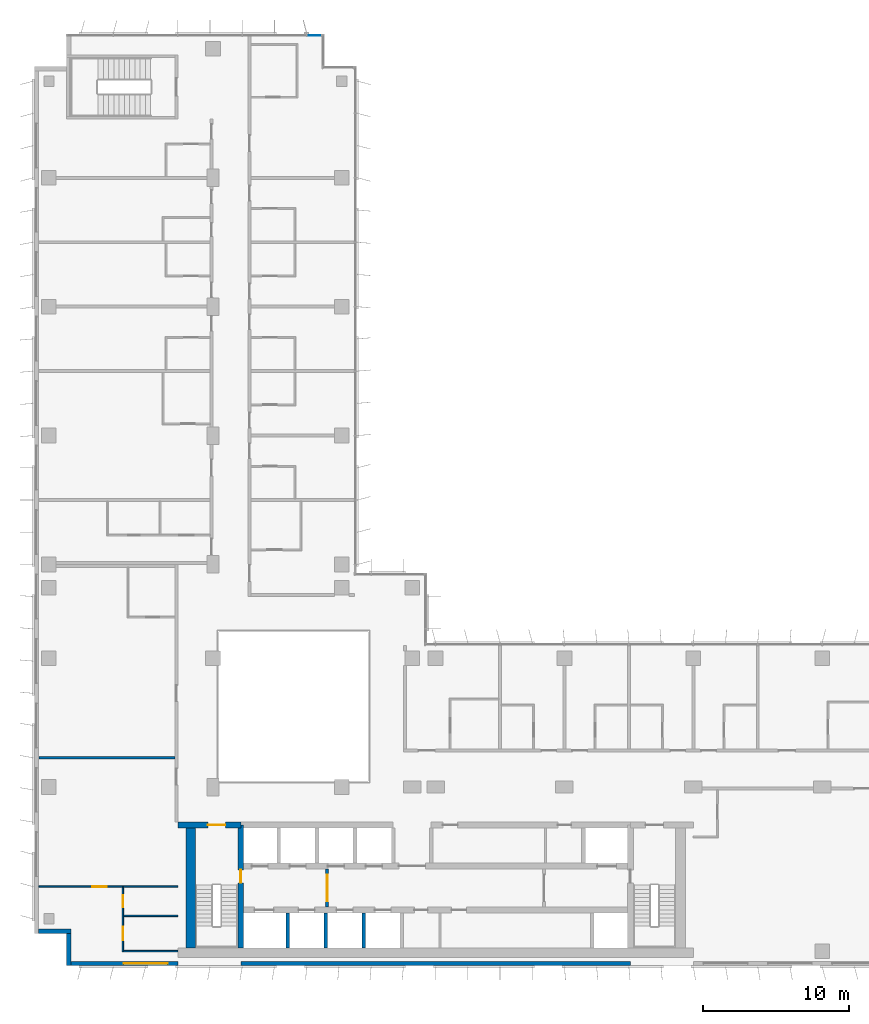
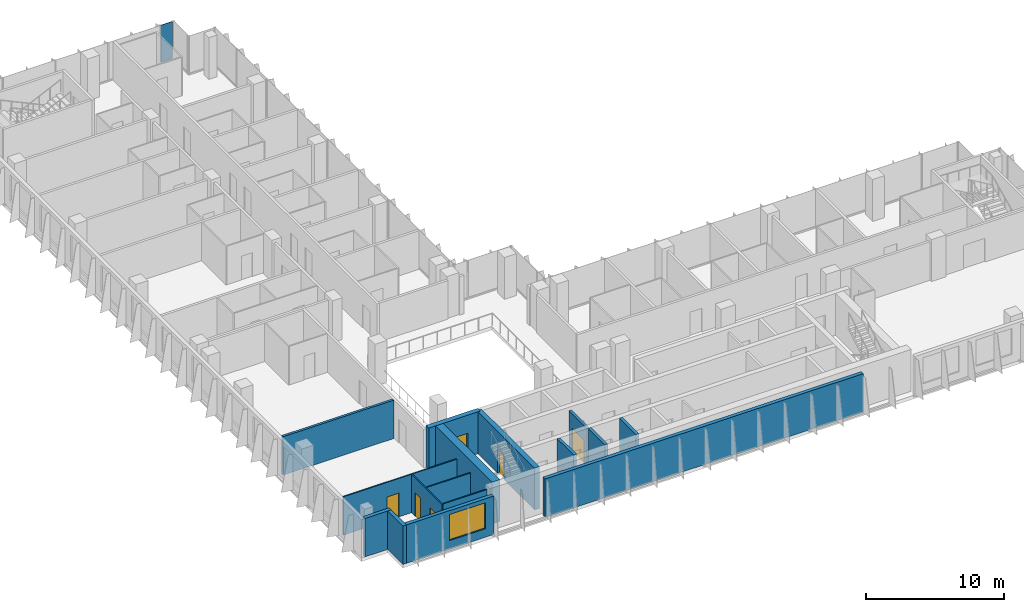
# One storey, part 12 of 21: 16 walls, 6 doors, 1 plate, 1 window, 7 openings, 1 element without a shape of its own.
"""IFC4 building model written with IfcOpenShell, lengths in metres."""

from ifc_helpers import new_model, si_unit, direction, frame, frame_2d, origin, origin_2d, place, context, subcontext, project, spatial, rectangle, extrude, source, transform, mapped, material, layer, layer_set, type_object, element, fill, aggregate, save


model = new_model("IFC4")

# Units and contexts
model_context = context("Model", 3, precision=1e-05, world=origin(), true_north=direction((0.0, 1.0)))
body_context = subcontext(model_context, "Body", "Model", "MODEL_VIEW")
ifc_project = project(units=[si_unit("LENGTHUNIT", "METRE"), si_unit("AREAUNIT", "SQUARE_METRE"), si_unit("VOLUMEUNIT", "CUBIC_METRE"), si_unit("PLANEANGLEUNIT", "RADIAN"), si_unit("MASSUNIT", "GRAM", prefix="KILO")], contexts=[model_context])

# Site, building, storey
site_placement = place(None, origin())
site = spatial("IfcSite", under=ifc_project, at=site_placement, CompositionType="ELEMENT")
building_placement = place(site_placement, origin())
building = spatial("IfcBuilding", under=site, at=building_placement, Name="Kemantara Hotel Tower", CompositionType="ELEMENT")
storey_placement = place(building_placement, frame((0.0, 0.0, 182.699951171875)))
storey = spatial("IfcBuildingStorey", under=building, at=storey_placement, Name="L45", CompositionType="ELEMENT", Elevation=182.699951171875)

# Curtain wall, plate
ifc_material_1 = material(Name="Low-E tinted double insulated glass 36 mm", Category="glass")
curtain_wall_type = type_object("IfcCurtainWallType", Name="TOWER CURTAIN WALL, FRONT FACES", PredefinedType="USERDEFINED", material=ifc_material_1)
curtain_wall_placement = place(storey_placement, origin())
curtain_wall = element("IfcCurtainWall", 1, at=curtain_wall_placement, inside=storey, type_object=curtain_wall_type, Name="CW4 L45 T3-R02-1", ObjectType="TOWER CURTAIN WALL, FRONT FACES", PredefinedType="USERDEFINED")
ifc_layer_1 = layer(ifc_material_1, 0.035888671875)
ifc_layer_set_1 = layer_set([ifc_layer_1], Name="Low-E tinted double insulated glass 36 mm")
plate_type = type_object("IfcPlateType", Name="TOWER CURTAIN WALL, FRONT FACES PANEL", PredefinedType="CURTAIN_PANEL", material=ifc_layer_set_1)
shared_shape = source(origin(), body_context, "Body", "SweptSolid", [
    extrude(rectangle(XDim=0.9599609375, YDim=0.035888671875, at=origin_2d()), origin(), (0.0, 0.0, 1.0), 3.280029296875),
])
plate_placement = place(storey_placement, frame((19.110107421875, 63.52490234375, 0.1201171875), z_axis=(0.0, 0.0, 1.0), x_axis=(-1.0, 0.0, 0.0)))
plate = element("IfcPlate", 2, at=plate_placement, type_object=plate_type, Name="CW4 glass panel T3-R02-1.1", PredefinedType="CURTAIN_PANEL", context=body_context, shape_type="MappedRepresentation", body=[
    mapped(shared_shape, transform((0.0, 0.0, 0.0))),
])
aggregate(curtain_wall, [plate])

# Walls
ifc_material_2 = material(Name="Bronze anodised aluminium cladding on insulated steel stud wall", Category="steel")
ifc_layer_2 = layer(ifc_material_2, 0.300048828125)
ifc_layer_set_2 = layer_set([ifc_layer_2], Name="Bronze anodised aluminium cladding on insulated steel stud wall")
wall_type_1 = type_object("IfcWallType", Name="BRONZE METAL-CLAD EXTERNAL WALL 300", PredefinedType="STANDARD", material=ifc_layer_set_2)
for number, where, z_axis, x_axis, name in (
    (3, (0.300048828125, 2.35009765625, 0.0), (0.0, 0.0, 1.0), (1.0, 0.0, 0.0), "EXTERNAL WALL L45 T3-R06"),
    (4, (2.35009765625, 2.199951171875, 0.0), (0.0, 0.0, 1.0), (0.0, -1.0, 0.0), "EXTERNAL WALL L45 T3-R07"),
):
    element("IfcWall", number, at=place(storey_placement, frame(where, z_axis=z_axis, x_axis=x_axis)), inside=storey, type_object=wall_type_1, Name=name, PredefinedType="STANDARD", context=body_context, shape_type="SweptSolid", body=[
        extrude(rectangle(XDim=2.199951171875, YDim=0.300048828125, at=frame_2d((1.10009765625, 0.0))), origin(), (0.0, 0.0, 1.0), 3.400146484375),
    ])

# Wall, opening, window
wall_1_placement = place(storey_placement, frame((2.5, 0.14990234375, 0.0), z_axis=(0.0, 0.0, 1.0), x_axis=(1.0, 0.0, 0.0)))
wall_1 = element("IfcWall", 5, at=wall_1_placement, inside=storey, type_object=wall_type_1, Name="EXTERNAL WALL L45 T3-R08", PredefinedType="STANDARD", context=body_context, shape_type="SweptSolid", body=[
    extrude(rectangle(XDim=7.300048828125, YDim=0.300048828125, at=frame_2d((3.64990234375, 0.0))), origin(), (0.0, 0.0, 1.0), 3.400146484375),
])
opening_1_placement = place(wall_1_placement, frame((3.60009765625, 0.0, 0.75)))
opening_1 = element("IfcOpeningElement", 6, at=opening_1_placement, cuts=wall_1, Name="Opening W1", PredefinedType="OPENING", context=body_context, shape_type="SweptSolid", body=[
    extrude(rectangle(XDim=3.0, YDim=2.300048828125, at=frame_2d((1.5, 1.14990234375))), frame((0.0, 0.159912109375, 0.0), z_axis=(0.0, -1.0, 0.0), x_axis=(1.0, 0.0, 0.0)), (0.0, 0.0, 1.0), 0.320068359375),
])
ifc_material_3 = material(Name="Low-E tinted double insulated glass in bronze anodised aluminium frame", Category="aluminium")
window_type = type_object("IfcWindowType", Name="CHICAGO WINDOW, TRIPLE PANEL 3000x2300", PartitioningType="TRIPLE_PANEL_VERTICAL", PredefinedType="WINDOW", material=ifc_material_3)
window_placement = place(opening_1_placement, origin())
window = element("IfcWindow", 7, at=window_placement, inside=storey, type_object=window_type, Name="CHICAGO WINDOW L45 T3-R08-54", OverallHeight=2.300048828125, OverallWidth=3.0, PartitioningType="SINGLE_PANEL", PredefinedType="WINDOW", context=body_context, shape_type="SweptSolid", body=[
    extrude(rectangle(XDim=3.0, YDim=2.300048828125, at=frame_2d((1.5, 1.14990234375))), frame((0.0, 0.030029296875, 0.0), z_axis=(0.0, -1.0, 0.0), x_axis=(1.0, 0.0, 0.0)), (0.0, 0.0, 1.0), 0.06005859375),
])
fill(opening_1, window)

# Walls
wall_2_placement = place(storey_placement, frame((14.10009765625, 0.14990234375, 0.0), z_axis=(0.0, 0.0, 1.0), x_axis=(1.0, 0.0, 0.0)))
element("IfcWall", 8, at=wall_2_placement, inside=storey, type_object=wall_type_1, Name="EXTERNAL WALL L45 T3-R08-2", PredefinedType="STANDARD", context=body_context, shape_type="SweptSolid", body=[
    extrude(rectangle(XDim=26.599853515625, YDim=0.300048828125, at=frame_2d((13.2998046875, 0.0))), origin(), (0.0, 0.0, 1.0), 3.400146484375),
])
ifc_material_4 = material(Name="Concrete fc 60 MPa", Category="concrete")
ifc_layer_3 = layer(ifc_material_4, 0.25)
ifc_layer_set_3 = layer_set([ifc_layer_3], Name="Concrete fc 60 MPa")
wall_type_2 = type_object("IfcWallType", Name="CORE WALL 250 FC60", PredefinedType="SHEAR", material=ifc_layer_set_3)
for number, where, z_axis, x_axis, name in (
    (9, (17.300048828125, 1.199951171875, 0.0), (0.0, 0.0, 1.0), (0.0, 1.0, 0.0), "CORE WALL CW-DS17.3"),
    (10, (19.89990234375, 1.199951171875, 0.0), (0.0, 0.0, 1.0), (0.0, 1.0, 0.0), "CORE WALL CW-DS19.9"),
    (11, (22.5, 1.199951171875, 0.0), (0.0, 0.0, 1.0), (0.0, 1.0, 0.0), "CORE WALL CW-DS22.5"),
):
    element("IfcWall", number, at=place(storey_placement, frame(where, z_axis=z_axis, x_axis=x_axis)), inside=storey, type_object=wall_type_2, Name=name, PredefinedType="SHEAR", context=body_context, shape_type="SweptSolid", body=[
        extrude(rectangle(XDim=2.400146484375, YDim=0.25, at=frame_2d((1.2001953125, 0.0))), origin(), (0.0, 0.0, 1.0), 3.699951171875),
    ])

# Wall, opening, door
ifc_layer_4 = layer(ifc_material_4, 0.39990234375)
ifc_layer_set_4 = layer_set([ifc_layer_4], Name="Concrete fc 60 MPa")
wall_type_3 = type_object("IfcWallType", Name="CORE WALL 400 FC60", PredefinedType="SHEAR", material=ifc_layer_set_4)
wall_3_placement = place(storey_placement, frame((9.800048828125, 9.60009765625, 0.0), z_axis=(0.0, 0.0, 1.0), x_axis=(1.0, 0.0, 0.0)))
wall_3 = element("IfcWall", 12, at=wall_3_placement, inside=storey, type_object=wall_type_3, Name="CORE WALL CW-N1", PredefinedType="SHEAR", context=body_context, shape_type="SweptSolid", body=[
    extrude(rectangle(XDim=4.300048828125, YDim=0.39990234375, at=frame_2d((2.14990234375, 0.0))), origin(), (0.0, 0.0, 1.0), 3.699951171875),
])
opening_2_placement = place(wall_3_placement, frame((2.050048828125, 0.0, 0.0)))
opening_2 = element("IfcOpeningElement", 13, at=opening_2_placement, cuts=wall_3, Name="Opening C27-ST1-C", PredefinedType="OPENING", context=body_context, shape_type="SweptSolid", body=[
    extrude(rectangle(XDim=1.199951171875, YDim=2.10009765625, at=frame_2d((0.60009765625, 1.050048828125))), frame((0.0, 0.2099609375, 0.0), z_axis=(0.0, -1.0, 0.0), x_axis=(1.0, 0.0, 0.0)), (0.0, 0.0, 1.0), 0.419921875),
])
ifc_material_5 = material(Name="Steel fire door", Category="steel")
door_type_1 = type_object("IfcDoorType", Name="Fire door FD90 1200 x 2100", OperationType="NOTDEFINED", PredefinedType="DOOR", material=ifc_material_5)
door_1_placement = place(opening_2_placement, frame((1.199951171875, 0.0, 0.0), z_axis=(0.0, 0.0, 1.0), x_axis=(-1.0, 0.0, 0.0)))
door_1 = element("IfcDoor", 14, at=door_1_placement, inside=storey, type_object=door_type_1, Name="Stair ST1 door to corridor", OperationType="SINGLE_SWING_LEFT", OverallHeight=2.10009765625, OverallWidth=1.199951171875, PredefinedType="DOOR", context=body_context, shape_type="SweptSolid", body=[
    extrude(rectangle(XDim=1.199951171875, YDim=2.10009765625, at=frame_2d((0.60009765625, 1.050048828125))), frame((0.0, 0.02490234375, 0.0), z_axis=(0.0, -1.0, 0.0), x_axis=(1.0, 0.0, 0.0)), (0.0, 0.0, 1.0), 0.050048828125),
])
fill(opening_2, door_1)

wall_4_placement = place(storey_placement, frame((14.10009765625, 1.199951171875, 0.0), z_axis=(0.0, 0.0, 1.0), x_axis=(0.0, 1.0, 0.0)))
wall_4 = element("IfcWall", 15, at=wall_4_placement, inside=storey, type_object=wall_type_3, Name="CORE WALL CW-ST1E", PredefinedType="SHEAR", context=body_context, shape_type="SweptSolid", body=[
    extrude(rectangle(XDim=8.400146484375, YDim=0.39990234375, at=frame_2d((4.2001953125, 0.0))), origin(), (0.0, 0.0, 1.0), 3.699951171875),
])
opening_3_placement = place(wall_4_placement, frame((4.449951171875, 0.0, 0.0)))
opening_3 = element("IfcOpeningElement", 16, at=opening_3_placement, cuts=wall_4, Name="Opening C27-ST1-F", PredefinedType="OPENING", context=body_context, shape_type="SweptSolid", body=[
    extrude(rectangle(XDim=0.89990234375, YDim=2.10009765625, at=frame_2d((0.449951171875, 1.050048828125))), frame((0.0, 0.2099609375, 0.0), z_axis=(0.0, -1.0, 0.0), x_axis=(1.0, 0.0, 0.0)), (0.0, 0.0, 1.0), 0.419921875),
])
door_type_2 = type_object("IfcDoorType", Name="Fire door FD90 900 x 2100", OperationType="NOTDEFINED", PredefinedType="DOOR", material=ifc_material_5)
door_2_placement = place(opening_3_placement, origin())
door_2 = element("IfcDoor", 17, at=door_2_placement, inside=storey, type_object=door_type_2, Name="Stair ST1 door to firefighting lobby", OperationType="SINGLE_SWING_RIGHT", OverallHeight=2.10009765625, OverallWidth=0.89990234375, PredefinedType="DOOR", context=body_context, shape_type="SweptSolid", body=[
    extrude(rectangle(XDim=0.89990234375, YDim=2.10009765625, at=frame_2d((0.449951171875, 1.050048828125))), frame((0.0, 0.02490234375, 0.0), z_axis=(0.0, -1.0, 0.0), x_axis=(1.0, 0.0, 0.0)), (0.0, 0.0, 1.0), 0.050048828125),
])
fill(opening_3, door_2)

# Walls
ifc_layer_5 = layer(ifc_material_4, 0.64990234375)
ifc_layer_set_5 = layer_set([ifc_layer_5], Name="Concrete fc 60 MPa")
wall_type_4 = type_object("IfcWallType", Name="CORE WALL 650 FC60", PredefinedType="SHEAR", material=ifc_layer_set_5)
wall_5_placement = place(storey_placement, frame((10.675048828125, 1.199951171875, 0.0), z_axis=(0.0, 0.0, 1.0), x_axis=(0.0, 1.0, 0.0)))
element("IfcWall", 18, at=wall_5_placement, inside=storey, type_object=wall_type_4, Name="CORE WALL CW-W", PredefinedType="SHEAR", context=body_context, shape_type="SweptSolid", body=[
    extrude(rectangle(XDim=8.60009765625, YDim=0.64990234375, at=frame_2d((4.300048828125, 0.0))), origin(), (0.0, 0.0, 1.0), 3.699951171875),
])
ifc_material_6 = material(Name="Gypsum board partition, steel studs and mineral wool, 200 mm", Category="steel")
ifc_layer_6 = layer(ifc_material_6, 0.199951171875)
ifc_layer_set_6 = layer_set([ifc_layer_6], Name="Gypsum board partition, steel studs and mineral wool, 200 mm")
wall_type_5 = type_object("IfcWallType", Name="GUEST ROOM PARTY WALL 200", PredefinedType="PARTITIONING", material=ifc_layer_set_6)
wall_6_placement = place(storey_placement, frame((0.31005859375, 14.199951171875, 0.0), z_axis=(0.0, 0.0, 1.0), x_axis=(1.0, 0.0, 0.0)))
element("IfcWall", 19, at=wall_6_placement, inside=storey, type_object=wall_type_5, Name="GUEST ROOM PARTY WALL 200 013", PredefinedType="PARTITIONING", context=body_context, shape_type="SweptSolid", body=[
    extrude(rectangle(XDim=9.2900390625, YDim=0.199951171875, at=frame_2d((4.64501953125, 0.0))), origin(), (0.0, 0.0, 1.0), 3.400146484375),
])

# Wall, opening, door
ifc_material_7 = material(Name="Gypsum board shaft wall")
ifc_layer_7 = layer(ifc_material_7, 0.199951171875)
ifc_layer_set_7 = layer_set([ifc_layer_7], Name="Gypsum board shaft wall")
wall_type_6 = type_object("IfcWallType", Name="Gypsum board shaft wall 200 mm", PredefinedType="PARTITIONING", material=ifc_layer_set_7)
wall_7_placement = place(storey_placement, frame((20.0, 4.0, 0.0), z_axis=(0.0, 0.0, 1.0), x_axis=(0.0, 1.0, 0.0)))
wall_7 = element("IfcWall", 20, at=wall_7_placement, inside=storey, type_object=wall_type_6, Name="Firefighting lobby partition west", PredefinedType="PARTITIONING", context=body_context, shape_type="SweptSolid", body=[
    extrude(rectangle(XDim=2.60009765625, YDim=0.199951171875, at=frame_2d((1.300048828125, 0.0))), origin(), (0.0, 0.0, 1.0), 3.400146484375),
])
opening_4_placement = place(wall_7_placement, frame((0.39990234375, 0.0, 0.0)))
opening_4 = element("IfcOpeningElement", 21, at=opening_4_placement, cuts=wall_7, Name="Opening C27-FFW", PredefinedType="OPENING", context=body_context, shape_type="SweptSolid", body=[
    extrude(rectangle(XDim=1.800048828125, YDim=2.10009765625, at=frame_2d((0.89990234375, 1.050048828125))), frame((0.0, 0.10986328125, 0.0), z_axis=(0.0, -1.0, 0.0), x_axis=(1.0, 0.0, 0.0)), (0.0, 0.0, 1.0), 0.219970703125),
])
door_type_3 = type_object("IfcDoorType", Name="Fire door pair FD60 1800 x 2100", OperationType="DOUBLE_DOOR_SINGLE_SWING", PredefinedType="DOOR", material=ifc_material_5)
door_3_placement = place(opening_4_placement, origin())
door_3 = element("IfcDoor", 22, at=door_3_placement, inside=storey, type_object=door_type_3, Name="Firefighting lobby door west", OperationType="DOUBLE_DOOR_SINGLE_SWING", OverallHeight=2.10009765625, OverallWidth=1.800048828125, PredefinedType="DOOR", context=body_context, shape_type="SweptSolid", body=[
    extrude(rectangle(XDim=1.800048828125, YDim=2.10009765625, at=frame_2d((0.89990234375, 1.050048828125))), frame((0.0, 0.02490234375, 0.0), z_axis=(0.0, -1.0, 0.0), x_axis=(1.0, 0.0, 0.0)), (0.0, 0.0, 1.0), 0.050048828125),
])
fill(opening_4, door_3)

# Wall, openings, doors
ifc_material_8 = material(Name="Gypsum board partition on steel studs, 100 mm", Category="steel")
ifc_layer_8 = layer(ifc_material_8, 0.10009765625)
ifc_layer_set_8 = layer_set([ifc_layer_8], Name="Gypsum board partition on steel studs, 100 mm")
wall_type_7 = type_object("IfcWallType", Name="ROOM PARTITION 100", PredefinedType="PARTITIONING", material=ifc_layer_set_8)
wall_8_placement = place(storey_placement, frame((6.050048828125, 5.35009765625, 0.0), z_axis=(0.0, 0.0, 1.0), x_axis=(0.0, -1.0, 0.0)))
wall_8 = element("IfcWall", 23, at=wall_8_placement, inside=storey, type_object=wall_type_7, Name="ROOM PARTITION 100 048", PredefinedType="PARTITIONING", context=body_context, shape_type="SweptSolid", body=[
    extrude(rectangle(XDim=4.400146484375, YDim=0.10009765625, at=frame_2d((2.2001953125, 0.0))), origin(), (0.0, 0.0, 1.0), 3.400146484375),
])
opening_5_placement = place(wall_8_placement, frame((2.699951171875, 0.0, 0.0)))
opening_5 = element("IfcOpeningElement", 24, at=opening_5_placement, cuts=wall_8, Name="Opening F21-017", PredefinedType="OPENING", context=body_context, shape_type="SweptSolid", body=[
    extrude(rectangle(XDim=0.89990234375, YDim=2.10009765625, at=frame_2d((0.449951171875, 1.050048828125))), frame((0.0, 0.06005859375, 0.0), z_axis=(0.0, -1.0, 0.0), x_axis=(1.0, 0.0, 0.0)), (0.0, 0.0, 1.0), 0.1201171875),
])
opening_6_placement = place(wall_8_placement, frame((0.550048828125, 0.0, 0.0)))
opening_6 = element("IfcOpeningElement", 25, at=opening_6_placement, cuts=wall_8, Name="Opening F21-018", PredefinedType="OPENING", context=body_context, shape_type="SweptSolid", body=[
    extrude(rectangle(XDim=0.800048828125, YDim=2.10009765625, at=frame_2d((0.39990234375, 1.050048828125))), frame((0.0, 0.06005859375, 0.0), z_axis=(0.0, -1.0, 0.0), x_axis=(1.0, 0.0, 0.0)), (0.0, 0.0, 1.0), 0.1201171875),
])
ifc_material_9 = material(Name="Hardwood veneer door leaf with steel frame", Category="steel")
door_type_4 = type_object("IfcDoorType", Name="BATHROOM DOOR 900 X 2100", OperationType="NOTDEFINED", PredefinedType="DOOR", material=ifc_material_9)
door_4_placement = place(opening_5_placement, origin())
door_4 = element("IfcDoor", 26, at=door_4_placement, inside=storey, type_object=door_type_4, Name="BATHROOM DOOR F21-017", OperationType="SINGLE_SWING_LEFT", OverallHeight=2.10009765625, OverallWidth=0.89990234375, PredefinedType="DOOR", context=body_context, shape_type="SweptSolid", body=[
    extrude(rectangle(XDim=0.89990234375, YDim=2.10009765625, at=frame_2d((0.449951171875, 1.050048828125))), frame((0.0, 0.02490234375, 0.0), z_axis=(0.0, -1.0, 0.0), x_axis=(1.0, 0.0, 0.0)), (0.0, 0.0, 1.0), 0.050048828125),
])
fill(opening_5, door_4)
door_type_5 = type_object("IfcDoorType", Name="WARDROBE DOOR 800 X 2100", OperationType="NOTDEFINED", PredefinedType="DOOR", material=ifc_material_9)
door_5_placement = place(opening_6_placement, origin())
door_5 = element("IfcDoor", 27, at=door_5_placement, inside=storey, type_object=door_type_5, Name="WARDROBE DOOR F21-018", OperationType="SINGLE_SWING_LEFT", OverallHeight=2.10009765625, OverallWidth=0.800048828125, PredefinedType="DOOR", context=body_context, shape_type="SweptSolid", body=[
    extrude(rectangle(XDim=0.800048828125, YDim=2.10009765625, at=frame_2d((0.39990234375, 1.050048828125))), frame((0.0, 0.02490234375, 0.0), z_axis=(0.0, -1.0, 0.0), x_axis=(1.0, 0.0, 0.0)), (0.0, 0.0, 1.0), 0.050048828125),
])
fill(opening_6, door_5)

# Wall, opening, door
wall_9_placement = place(storey_placement, frame((9.7998046875, 5.39990234375, 0.0), z_axis=(0.0, 0.0, 1.0), x_axis=(-1.0, 0.0, 0.0)))
wall_9 = element("IfcWall", 28, at=wall_9_placement, inside=storey, type_object=wall_type_7, Name="ROOM PARTITION 100 049", PredefinedType="PARTITIONING", context=body_context, shape_type="SweptSolid", body=[
    extrude(rectangle(XDim=9.48974609375, YDim=0.10009765625, at=frame_2d((4.744873046875, 0.0))), origin(), (0.0, 0.0, 1.0), 3.400146484375),
])
opening_7_placement = place(wall_9_placement, frame((4.849853515625, 0.0, 0.0)))
opening_7 = element("IfcOpeningElement", 29, at=opening_7_placement, cuts=wall_9, Name="Opening F21-016", PredefinedType="OPENING", context=body_context, shape_type="SweptSolid", body=[
    extrude(rectangle(XDim=1.0, YDim=2.10009765625, at=frame_2d((0.5, 1.050048828125))), frame((0.0, 0.06005859375, 0.0), z_axis=(0.0, -1.0, 0.0), x_axis=(1.0, 0.0, 0.0)), (0.0, 0.0, 1.0), 0.1201171875),
])
door_type_6 = type_object("IfcDoorType", Name="INTERNAL DOOR 1000 X 2100", OperationType="NOTDEFINED", PredefinedType="DOOR", material=ifc_material_9)
door_6_placement = place(opening_7_placement, origin())
door_6 = element("IfcDoor", 30, at=door_6_placement, inside=storey, type_object=door_type_6, Name="INTERNAL DOOR F21-016", OperationType="SINGLE_SWING_LEFT", OverallHeight=2.10009765625, OverallWidth=1.0, PredefinedType="DOOR", context=body_context, shape_type="SweptSolid", body=[
    extrude(rectangle(XDim=1.0, YDim=2.10009765625, at=frame_2d((0.5, 1.050048828125))), frame((0.0, 0.02490234375, 0.0), z_axis=(0.0, -1.0, 0.0), x_axis=(1.0, 0.0, 0.0)), (0.0, 0.0, 1.0), 0.050048828125),
])
fill(opening_7, door_6)

# Walls
for number, where, z_axis, x_axis, name in (
    (31, (6.10009765625, 1.0, 0.0), (0.0, 0.0, 1.0), (1.0, 0.0, 0.0), "ROOM PARTITION 100 050"),
    (32, (6.10009765625, 3.39990234375, 0.0), (0.0, 0.0, 1.0), (1.0, 0.0, 0.0), "ROOM PARTITION 100 051"),
):
    element("IfcWall", number, at=place(storey_placement, frame(where, z_axis=z_axis, x_axis=x_axis)), inside=storey, type_object=wall_type_7, Name=name, PredefinedType="PARTITIONING", context=body_context, shape_type="SweptSolid", body=[
        extrude(rectangle(XDim=3.69970703125, YDim=0.10009765625, at=frame_2d((1.849853515625, 0.0))), origin(), (0.0, 0.0, 1.0), 3.400146484375),
    ])

save(model, "model.ifc")
